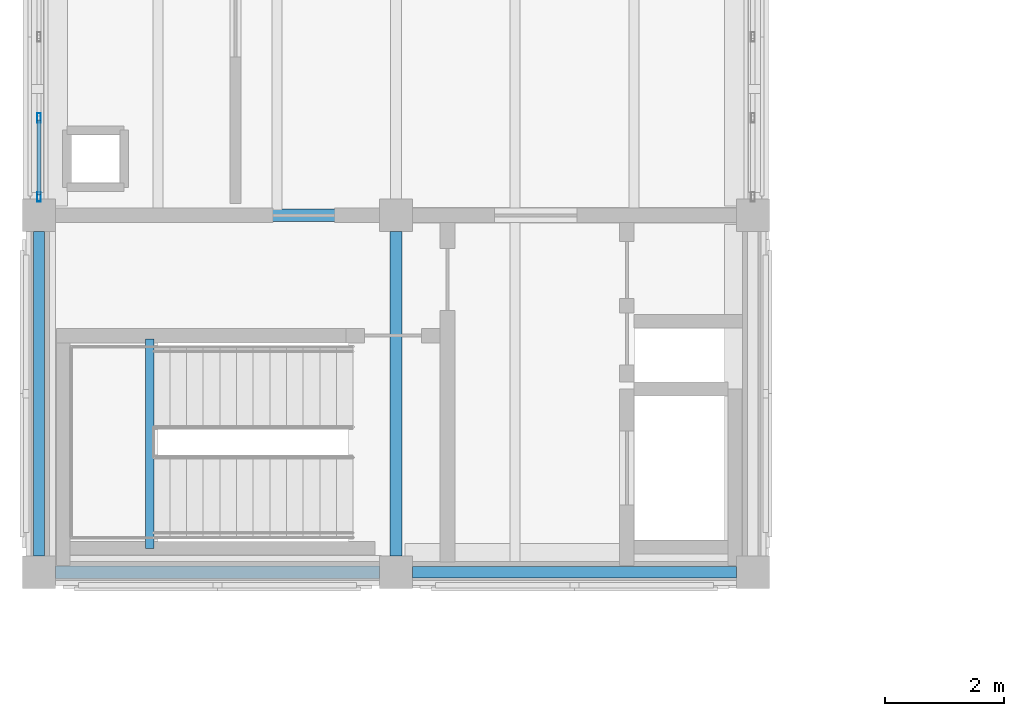
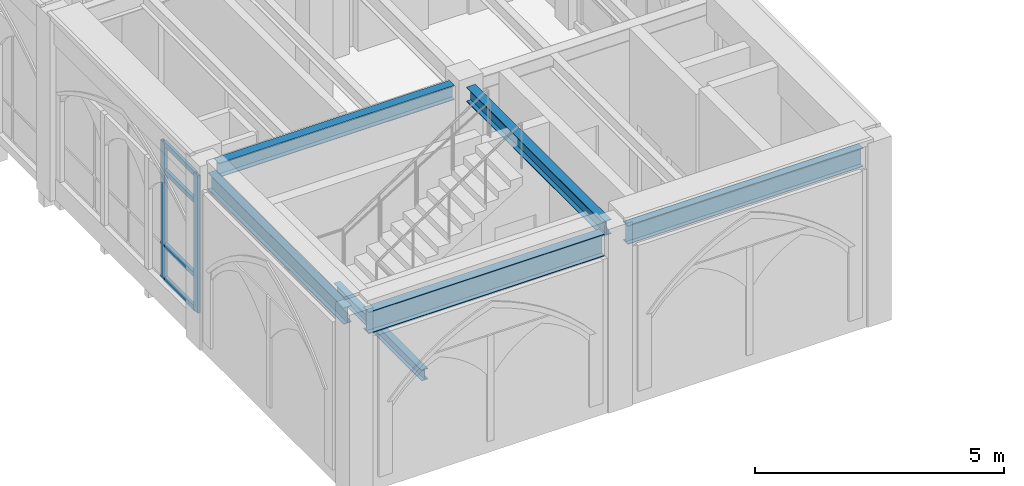
# One storey, part 7 of 108: 6 beams, 6 members, 1 element without a shape of its own.
"""IFC4 building model written with IfcOpenShell, lengths in metres."""

from ifc_helpers import new_model, si_unit, direction, frame, origin, origin_2d, place, context, subcontext, project, spatial, hollow_rectangle, i_section, extrude, material, layer, layer_set, material_profile, profile_set, type_object, element, aggregate, save


model = new_model("IFC4")

# Units and contexts
model_context = context("Model", 3, precision=1e-05, world=origin(), true_north=direction((0.0, 1.0)))
body_context = subcontext(model_context, "Body", "Model", "MODEL_VIEW")
ifc_project = project(units=[si_unit("LENGTHUNIT", "METRE"), si_unit("AREAUNIT", "SQUARE_METRE"), si_unit("VOLUMEUNIT", "CUBIC_METRE"), si_unit("PLANEANGLEUNIT", "RADIAN"), si_unit("MASSUNIT", "GRAM", prefix="KILO")], contexts=[model_context])

# Site, building, storey
site_placement = place(None, origin())
site = spatial("IfcSite", under=ifc_project, at=site_placement, CompositionType="ELEMENT")
building_placement = place(site_placement, origin())
building = spatial("IfcBuilding", under=site, at=building_placement, Name="Cumevento Cable Car Station", CompositionType="ELEMENT")
storey_placement = place(building_placement, frame((0.0, 0.0, 13.5)))
storey = spatial("IfcBuildingStorey", under=building, at=storey_placement, Name="L04", CompositionType="ELEMENT", Elevation=13.5)

# Curtain wall, members
ifc_material_1 = material(Name="Anodised Bronze Aluminium AW-6063-T6", Category="aluminium")
ifc_layer = layer(ifc_material_1, 0.201904296875)
ifc_layer_set = layer_set([ifc_layer], Name="Anodised Bronze Aluminium AW-6063-T6")
curtain_wall_type = type_object("IfcCurtainWallType", Name="Lancet Curtain Wall CW-08 1330", PredefinedType="NOTDEFINED", material=ifc_layer_set)
curtain_wall_placement = place(storey_placement, origin())
curtain_wall = element("IfcCurtainWall", 1, at=curtain_wall_placement, inside=storey, type_object=curtain_wall_type, Name="Lancet Curtain Wall CW-08 L04 #151", PredefinedType="NOTDEFINED")
ifc_material_2 = material(Name="Anodised Bronze Aluminium AW-6063-T6", Category="aluminium")
ifc_material_profile_1 = material_profile(ifc_material_2, hollow_rectangle(XDim=0.06494140625, YDim=0.159912109375, WallThickness=0.00390625, at=origin_2d()), Name="ALUM65x160x4")
ifc_profile_set_1 = profile_set([ifc_material_profile_1], Name="Anodised Bronze Aluminium AW-6063-T6")
member_type_1 = type_object("IfcMemberType", Name="Curtain Mullion CWM-01 ALUM65x160x4", PredefinedType="MULLION", material=ifc_profile_set_1)
member_1_placement = place(storey_placement, frame((10.0, 33.3076171875, 0.52001953125), z_axis=(0.0, 0.0, 1.0), x_axis=(-1.0, 0.0, 0.0)))
member_1 = element("IfcMember", 2, at=member_1_placement, type_object=member_type_1, Name="CW-08 mullion 1", PredefinedType="MULLION", context=body_context, shape_type="SweptSolid", body=[
    extrude(hollow_rectangle(XDim=0.06494140625, YDim=0.159912109375, WallThickness=0.00390625, at=origin_2d()), origin(), (0.0, 0.0, 1.0), 3.361083984375),
])
member_2_placement = place(storey_placement, frame((10.0, 34.637451171875, 0.52001953125), z_axis=(0.0, 0.0, 1.0), x_axis=(-1.0, 0.0, 0.0)))
member_2 = element("IfcMember", 3, at=member_2_placement, type_object=member_type_1, Name="CW-08 mullion 2", PredefinedType="MULLION", context=body_context, shape_type="SweptSolid", body=[
    extrude(hollow_rectangle(XDim=0.06494140625, YDim=0.159912109375, WallThickness=0.00390625, at=origin_2d()), origin(), (0.0, 0.0, 1.0), 3.361083984375),
])
ifc_material_3 = material(Name="Anodised Bronze Aluminium AW-6063-T6", Category="aluminium")
ifc_material_profile_2 = material_profile(ifc_material_3, hollow_rectangle(XDim=0.06494140625, YDim=0.1201171875, WallThickness=0.00390625, at=origin_2d()), Name="ALUT65x120x4")
ifc_profile_set_2 = profile_set([ifc_material_profile_2], Name="Anodised Bronze Aluminium AW-6063-T6")
member_type_2 = type_object("IfcMemberType", Name="Curtain Transom CWT-01 ALUT65x120x4", PredefinedType="USERDEFINED", material=ifc_profile_set_2)
member_3_placement = place(storey_placement, frame((10.0, 33.340087890625, 0.552490234375), z_axis=(0.0, 1.0, 0.0), x_axis=(-1.0, 0.0, 0.0)))
member_3 = element("IfcMember", 4, at=member_3_placement, type_object=member_type_2, Name="CW-08 transom 1.1", ObjectType="TRANSOM", PredefinedType="USERDEFINED", context=body_context, shape_type="SweptSolid", body=[
    extrude(hollow_rectangle(XDim=0.06494140625, YDim=0.1201171875, WallThickness=0.00390625, at=origin_2d()), origin(), (0.0, 0.0, 1.0), 1.264892578125),
])
member_4_placement = place(storey_placement, frame((10.0, 33.340087890625, 1.3701171875), z_axis=(0.0, 1.0, 0.0), x_axis=(-1.0, 0.0, 0.0)))
member_4 = element("IfcMember", 5, at=member_4_placement, type_object=member_type_2, Name="CW-08 transom 1.2", ObjectType="TRANSOM", PredefinedType="USERDEFINED", context=body_context, shape_type="SweptSolid", body=[
    extrude(hollow_rectangle(XDim=0.06494140625, YDim=0.1201171875, WallThickness=0.00390625, at=origin_2d()), origin(), (0.0, 0.0, 1.0), 1.264892578125),
])
member_5_placement = place(storey_placement, frame((10.0, 33.340087890625, 3.180908203125), z_axis=(0.0, 1.0, 0.0), x_axis=(-1.0, 0.0, 0.0)))
member_5 = element("IfcMember", 6, at=member_5_placement, type_object=member_type_2, Name="CW-08 transom 1.3", ObjectType="TRANSOM", PredefinedType="USERDEFINED", context=body_context, shape_type="SweptSolid", body=[
    extrude(hollow_rectangle(XDim=0.06494140625, YDim=0.1201171875, WallThickness=0.00390625, at=origin_2d()), origin(), (0.0, 0.0, 1.0), 1.264892578125),
])
member_6_placement = place(storey_placement, frame((10.0, 33.340087890625, 3.848388671875), z_axis=(0.0, 1.0, 0.0), x_axis=(-1.0, 0.0, 0.0)))
member_6 = element("IfcMember", 7, at=member_6_placement, type_object=member_type_2, Name="CW-08 transom 1.4", ObjectType="TRANSOM", PredefinedType="USERDEFINED", context=body_context, shape_type="SweptSolid", body=[
    extrude(hollow_rectangle(XDim=0.06494140625, YDim=0.1201171875, WallThickness=0.00390625, at=origin_2d()), origin(), (0.0, 0.0, 1.0), 1.264892578125),
])
aggregate(curtain_wall, [member_1, member_2, member_3, member_4, member_5, member_6])

# Beams
ifc_material_4 = material(Name="Steel ASTM A572 Grade 50", Category="steel")
ifc_material_profile_3 = material_profile(ifc_material_4, i_section(OverallWidth=0.18994140625, OverallDepth=0.45703125, WebThickness=0.009033203125, FlangeThickness=0.014404296875, at=origin_2d()), Name="W460x74.0")
ifc_profile_set_3 = profile_set([ifc_material_profile_3], Name="Steel ASTM A572 Grade 50")
beam_type_1 = type_object("IfcBeamType", Name="Structural Beam BM-04 W460x74.0", PredefinedType="BEAM", material=ifc_profile_set_3)
beam_1_placement = place(storey_placement, frame((16.27490234375, 27.0, 4.0595703125), z_axis=(1.0, 0.0, 0.0), x_axis=(0.0, 1.0, 0.0)))
element("IfcBeam", 8, at=beam_1_placement, inside=storey, type_object=beam_type_1, Name="Beam BM-04 L04 #1361", PredefinedType="BEAM", context=body_context, shape_type="SweptSolid", body=[
    extrude(i_section(OverallWidth=0.18994140625, OverallDepth=0.45703125, WebThickness=0.009033203125, FlangeThickness=0.014404296875, at=origin_2d()), origin(), (0.0, 0.0, 1.0), 5.4501953125),
])
ifc_material_5 = material(Name="Steel ASTM A572 Grade 50", Category="steel")
ifc_material_profile_4 = material_profile(ifc_material_5, i_section(OverallWidth=0.205078125, OverallDepth=0.35400390625, WebThickness=0.009521484375, FlangeThickness=0.016845703125, at=origin_2d()), Name="W360x79.0")
ifc_profile_set_4 = profile_set([ifc_material_profile_4], Name="Steel ASTM A572 Grade 50")
beam_type_2 = type_object("IfcBeamType", Name="Structural Beam BM-05 W360x79.0", PredefinedType="BEAM", material=ifc_profile_set_4)
for number, where, z_axis, x_axis, name in (
    (9, (10.27490234375, 33.0, 4.111083984375), (1.0, 0.0, 0.0), (0.0, 1.0, 0.0), "Beam BM-05 L04 #1362"),
    (10, (16.0, 27.27490234375, 4.111083984375), (0.0, 1.0, 0.0), (-1.0, 0.0, 0.0), "Beam BM-05 L04 #1365"),
):
    element("IfcBeam", number, at=place(storey_placement, frame(where, z_axis=z_axis, x_axis=x_axis)), inside=storey, type_object=beam_type_2, Name=name, PredefinedType="BEAM", context=body_context, shape_type="SweptSolid", body=[
        extrude(i_section(OverallWidth=0.205078125, OverallDepth=0.35400390625, WebThickness=0.009521484375, FlangeThickness=0.016845703125, at=origin_2d()), origin(), (0.0, 0.0, 1.0), 5.4501953125),
    ])
ifc_material_6 = material(Name="Steel ASTM A572 Grade 50", Category="steel")
ifc_material_profile_5 = material_profile(ifc_material_6, i_section(OverallWidth=0.14794921875, OverallDepth=0.26611328125, WebThickness=0.007568359375, FlangeThickness=0.012939453125, at=origin_2d()), Name="W250x44.8")
ifc_profile_set_5 = profile_set([ifc_material_profile_5], Name="Steel ASTM A572 Grade 50")
beam_type_3 = type_object("IfcBeamType", Name="Structural Beam BM-07 W250x44.8", PredefinedType="BEAM", material=ifc_profile_set_5)
beam_2_placement = place(storey_placement, frame((11.860107421875, 27.39990234375, 1.89404296875), z_axis=(0.0, 1.0, 0.0), x_axis=(-1.0, 0.0, 0.0)))
element("IfcBeam", 11, at=beam_2_placement, inside=storey, type_object=beam_type_3, Name="Core Stair Half-Landing Trimmer ST-03-L04", PredefinedType="BEAM", context=body_context, shape_type="SweptSolid", body=[
    extrude(i_section(OverallWidth=0.14794921875, OverallDepth=0.26611328125, WebThickness=0.007568359375, FlangeThickness=0.012939453125, at=origin_2d()), origin(), (0.0, 0.0, 1.0), 3.52001953125),
])
ifc_material_7 = material(Name="Steel ASTM A572 Grade 50", Category="steel")
ifc_material_profile_6 = material_profile(ifc_material_7, i_section(OverallWidth=0.2109375, OverallDepth=0.5390625, WebThickness=0.01171875, FlangeThickness=0.018798828125, at=origin_2d()), Name="W530x109.0")
ifc_profile_set_6 = profile_set([ifc_material_profile_6], Name="Steel ASTM A572 Grade 50")
beam_type_4 = type_object("IfcBeamType", Name="Structural Beam BM-11 W530x109.0", PredefinedType="BEAM", material=ifc_profile_set_6)
beam_3_placement = place(storey_placement, frame((10.27490234375, 27.0, 4.0185546875), z_axis=(1.0, 0.0, 0.0), x_axis=(0.0, 1.0, 0.0)))
element("IfcBeam", 12, at=beam_3_placement, inside=storey, type_object=beam_type_4, Name="Beam BM-11 L04 #1360", PredefinedType="BEAM", context=body_context, shape_type="SweptSolid", body=[
    extrude(i_section(OverallWidth=0.2109375, OverallDepth=0.5390625, WebThickness=0.01171875, FlangeThickness=0.018798828125, at=origin_2d()), origin(), (0.0, 0.0, 1.0), 5.4501953125),
])
ifc_material_8 = material(Name="Steel ASTM A572 Grade 50", Category="steel")
ifc_material_profile_7 = material_profile(ifc_material_8, i_section(OverallWidth=0.177978515625, OverallDepth=0.406982421875, WebThickness=0.0078125, FlangeThickness=0.0126953125, at=origin_2d()), Name="W410x60.0")
ifc_profile_set_7 = profile_set([ifc_material_profile_7], Name="Steel ASTM A572 Grade 50")
beam_type_5 = type_object("IfcBeamType", Name="Structural Spandrel SP-01 W410x60.0", PredefinedType="SPANDREL", material=ifc_profile_set_7)
beam_4_placement = place(storey_placement, frame((10.0, 27.27490234375, 4.08447265625), z_axis=(0.0, 1.0, 0.0), x_axis=(-1.0, 0.0, 0.0)))
element("IfcBeam", 13, at=beam_4_placement, inside=storey, type_object=beam_type_5, Name="Beam SP-01 L04 #1364", PredefinedType="SPANDREL", context=body_context, shape_type="SweptSolid", body=[
    extrude(i_section(OverallWidth=0.177978515625, OverallDepth=0.406982421875, WebThickness=0.0078125, FlangeThickness=0.0126953125, at=origin_2d()), origin(), (0.0, 0.0, 1.0), 5.4501953125),
])

save(model, "model.ifc")
